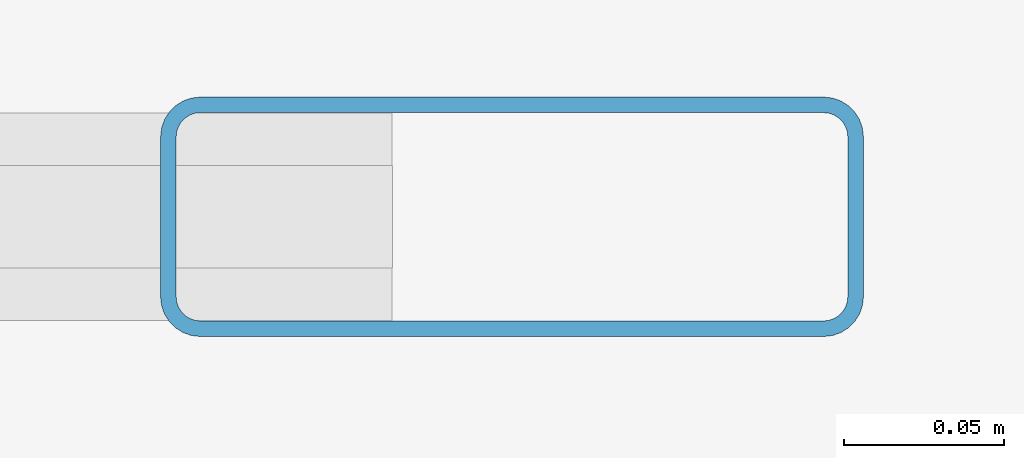
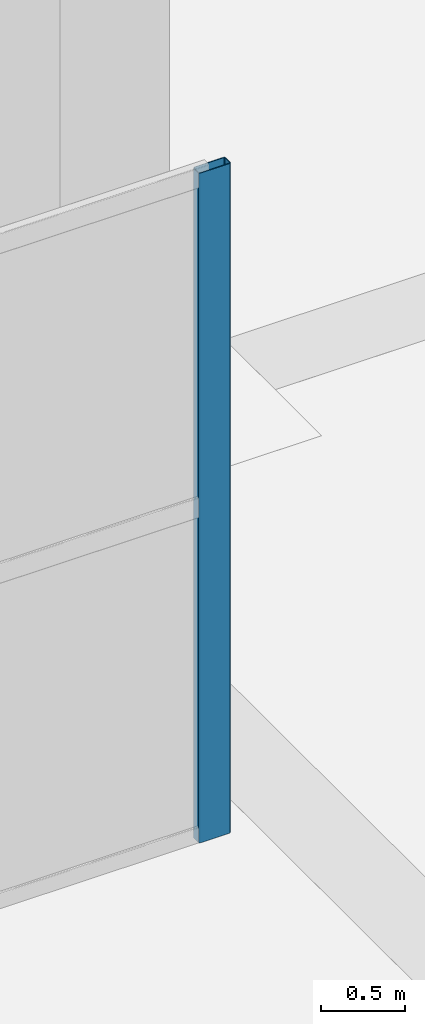
# One storey, part 14 of 65: 1 member, 1 element without a shape of its own.
"""IFC4 building model written with IfcOpenShell, lengths in metres."""

from ifc_helpers import new_model, si_unit, direction, frame, origin, origin_2d, place, context, subcontext, project, spatial, hollow_rectangle, extrude, material, layer, layer_set, material_profile, profile_set, type_object, element, aggregate, save


model = new_model("IFC4")

# Units and contexts
model_context = context("Model", 3, precision=1e-05, world=origin(), true_north=direction((0.0, 1.0)))
body_context = subcontext(model_context, "Body", "Model", "MODEL_VIEW")
ifc_project = project(units=[si_unit("LENGTHUNIT", "METRE"), si_unit("AREAUNIT", "SQUARE_METRE"), si_unit("VOLUMEUNIT", "CUBIC_METRE"), si_unit("PLANEANGLEUNIT", "RADIAN"), si_unit("MASSUNIT", "GRAM", prefix="KILO")], contexts=[model_context])

# Site, building, storey
site_placement = place(None, origin())
site = spatial("IfcSite", under=ifc_project, at=site_placement, CompositionType="ELEMENT")
building_placement = place(site_placement, origin())
building = spatial("IfcBuilding", under=site, at=building_placement, Name="Zulmaris Art Gallery", CompositionType="ELEMENT")
storey_placement = place(building_placement, origin())
storey = spatial("IfcBuildingStorey", under=building, at=storey_placement, Name="L00", CompositionType="ELEMENT", Elevation=0.0)

# Curtain wall, member
ifc_material_1 = material(Name="Cloister & Court Glazed Curtain Wall", Category="aluminium")
ifc_layer = layer(ifc_material_1, 0.179931640625)
ifc_layer_set = layer_set([ifc_layer], Name="Cloister & Court Glazed Curtain Wall")
curtain_wall_type = type_object("IfcCurtainWallType", Name="CW-CW03", PredefinedType="NOTDEFINED", material=ifc_layer_set)
curtain_wall_placement = place(storey_placement, origin())
curtain_wall = element("IfcCurtainWall", 1, at=curtain_wall_placement, inside=storey, type_object=curtain_wall_type, Name="L00 curtain wall 54", PredefinedType="NOTDEFINED")
ifc_material_2 = material(Name="Anodised Bronze Aluminium", Category="aluminium")
ifc_material_profile = material_profile(ifc_material_2, hollow_rectangle(XDim=0.074951171875, YDim=0.219970703125, WallThickness=0.0048828125, InnerFilletRadius=0.007568359375, OuterFilletRadius=0.012451171875, at=origin_2d()), Name="ALU 75x220x5")
ifc_profile_set = profile_set([ifc_material_profile], Name="Anodised Bronze Aluminium")
member_type = type_object("IfcMemberType", Name="CWMUL-02", PredefinedType="MULLION", material=ifc_profile_set)
member_placement = place(storey_placement, frame((73.822509765625, 17.5, 0.0), z_axis=(0.0, 0.0, 1.0), x_axis=(0.0, 1.0, 0.0)))
member = element("IfcMember", 2, at=member_placement, type_object=member_type, Name="CW03 mullion 5", PredefinedType="MULLION", context=body_context, shape_type="SweptSolid", body=[
    extrude(hollow_rectangle(XDim=0.074951171875, YDim=0.219970703125, WallThickness=0.0048828125, InnerFilletRadius=0.007568359375, OuterFilletRadius=0.012451171875, at=origin_2d()), origin(), (0.0, 0.0, 1.0), 4.85009765625),
])
aggregate(curtain_wall, [member])

save(model, "model.ifc")
